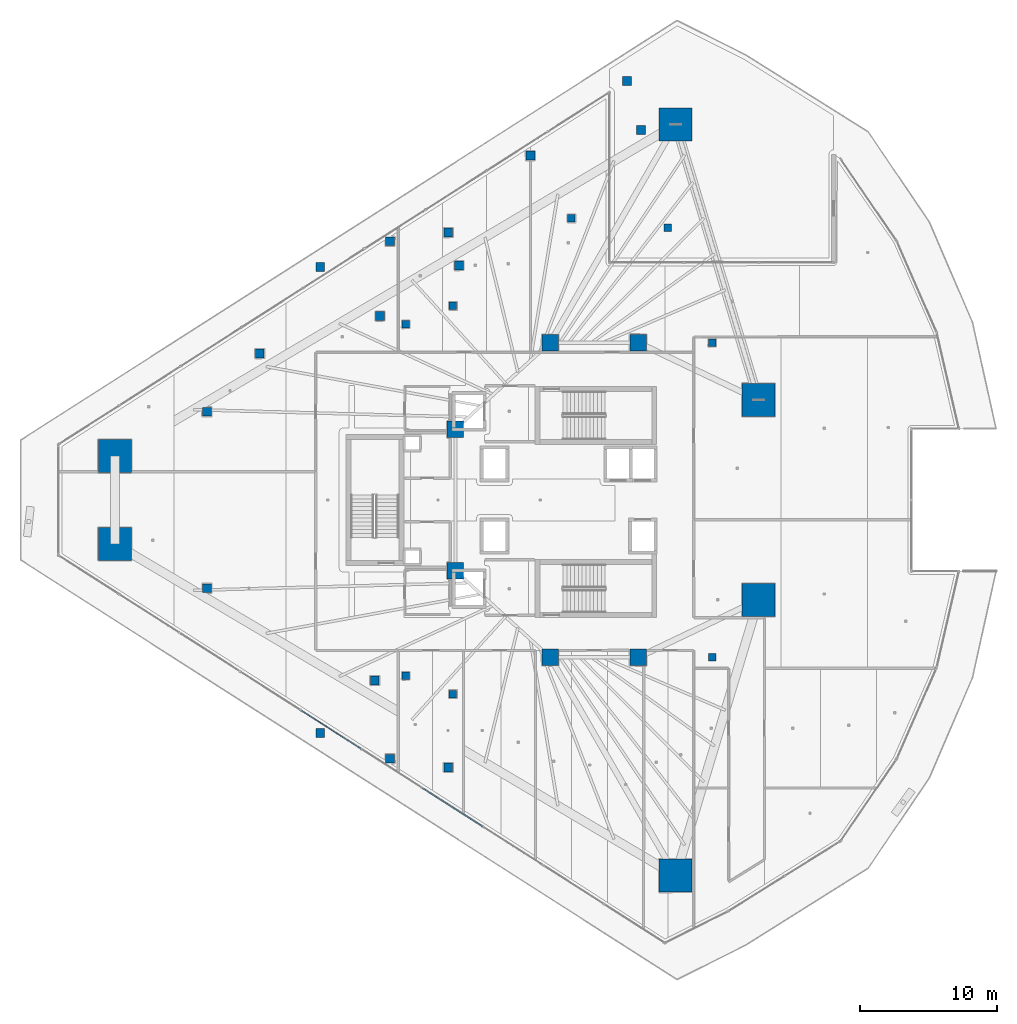
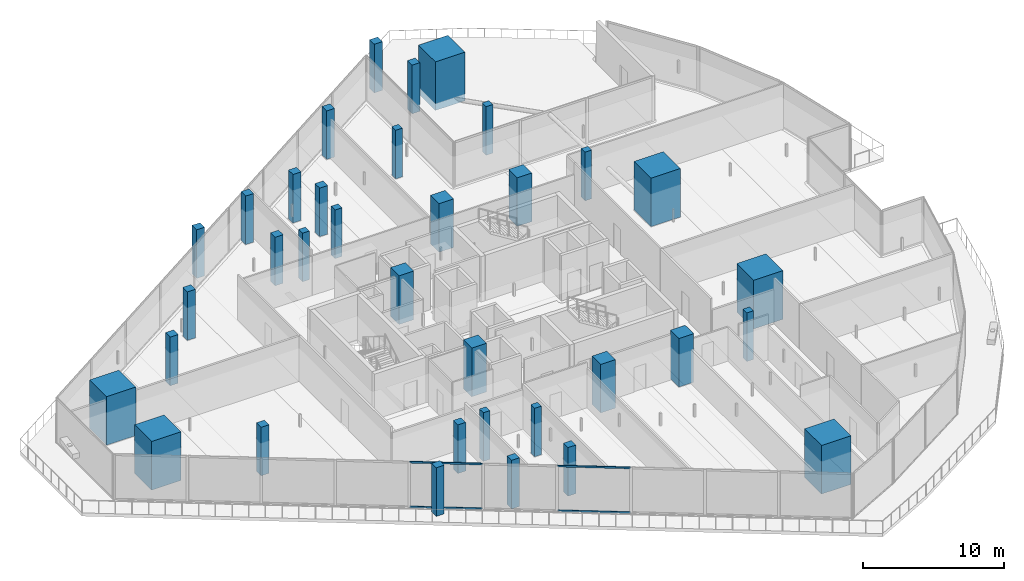
# One storey, part 1 of 44: 35 columns, 4 members, 1 element without a shape of its own.
"""IFC4 building model written with IfcOpenShell, lengths in metres."""

import ifcopenshell
import ifcopenshell.guid

model = None  # the IFC model being written
_history = None  # IfcOwnerHistory: only IFC2X3 demands one
_inside = {}  # id of a spatial element -> (the spatial element, [elements in it])
_under = {}  # id of a project, library or spatial element -> (it, [spatial elements below it])
_declared = {}  # id of a project -> (the project, [libraries it declares])
_typed = {}  # id of a type object -> (the type object, [elements of that type])
_made_of = {}  # id of a material, layer set ... -> (it, [elements and type objects made of it])


def new_model(schema):
    """Start an empty IFC model of exactly this schema.

    Asked for "IFC4X3", IfcOpenShell would pick the latest addendum, in which some entities
    have other attributes; the version numbers below select the first issue.
    IFC2X3 requires an IfcOwnerHistory on every rooted entity: one is made here for all.
    """
    global model, _history
    if schema == "IFC4X3":
        model = ifcopenshell.file(schema_version=(4, 3, 0, 0))
    else:
        model = ifcopenshell.file(schema=schema)
    _inside.clear()
    _under.clear()
    _declared.clear()
    _typed.clear()
    _made_of.clear()
    _history = None
    if model.schema == "IFC2X3":
        org = make("IfcOrganization", Name="unknown")
        user = make(
            "IfcPersonAndOrganization",
            ThePerson=make("IfcPerson", FamilyName="unknown"),
            TheOrganization=org,
        )
        app = make(
            "IfcApplication",
            ApplicationDeveloper=org,
            Version="unknown",
            ApplicationFullName="unknown",
            ApplicationIdentifier="unknown",
        )
        _history = make(
            "IfcOwnerHistory",
            OwningUser=user,
            OwningApplication=app,
            ChangeAction="ADDED",
            CreationDate=0,
        )
    return model


def make(cls, **values):
    """One entity of the class cls with the attributes given. An attribute that is None is left unset."""
    return model.create_entity(
        cls, **{name: value for name, value in values.items() if value is not None}
    )


def rooted(cls, **values):
    """An entity with a GlobalId (a new one), such as an element, a storey or a relation."""
    return make(cls, GlobalId=ifcopenshell.guid.new(), OwnerHistory=_history, **values)


def si_unit(unit_type, name, prefix=None):
    """IfcSIUnit, for example si_unit("LENGTHUNIT", "METRE", prefix="MILLI")."""
    return make("IfcSIUnit", UnitType=unit_type, Prefix=prefix, Name=name)


def assignment(units):
    """IfcUnitAssignment: the units of a project."""
    return None if units is None else make("IfcUnitAssignment", Units=units)


def point(xyz):
    """IfcCartesianPoint."""
    return None if xyz is None else make("IfcCartesianPoint", Coordinates=xyz)


def direction(xyz):
    """IfcDirection."""
    return None if xyz is None else make("IfcDirection", DirectionRatios=xyz)


def frame(location, z_axis=None, x_axis=None):
    """IfcAxis2Placement3D, a coordinate frame: its origin and axes. An axis left out is left unset."""
    return make(
        "IfcAxis2Placement3D",
        Location=point(location),
        Axis=direction(z_axis),
        RefDirection=direction(x_axis),
    )


def frame_2d(location, x_axis=None):
    """IfcAxis2Placement2D, a coordinate frame in the plane: its origin and x axis."""
    return make(
        "IfcAxis2Placement2D", Location=point(location), RefDirection=direction(x_axis)
    )


def origin():
    """The frame at (0, 0, 0) with its axes left unset."""
    return frame((0.0, 0.0, 0.0))


def origin_2d():
    """The frame at (0, 0) in the plane with its x axis left unset."""
    return frame_2d((0.0, 0.0))


def place(relative_to, where):
    """IfcLocalPlacement: puts the frame where relative to a parent placement (None: the world)."""
    return make(
        "IfcLocalPlacement", PlacementRelTo=relative_to, RelativePlacement=where
    )


def context(
    kind, dimensions, precision=None, world=None, true_north=None, identifier=None
):
    """IfcGeometricRepresentationContext, for example the 3D "Model" context."""
    return make(
        "IfcGeometricRepresentationContext",
        ContextIdentifier=identifier,
        ContextType=kind,
        CoordinateSpaceDimension=dimensions,
        Precision=precision,
        WorldCoordinateSystem=world,
        TrueNorth=true_north,
    )


def subcontext(parent, identifier, kind, view, scale=None):
    """IfcGeometricRepresentationSubContext, for example "Body" below "Model"."""
    return make(
        "IfcGeometricRepresentationSubContext",
        ContextIdentifier=identifier,
        ContextType=kind,
        ParentContext=parent,
        TargetScale=scale,
        TargetView=view,
    )


def project(units=None, contexts=None):
    """IfcProject with its units and contexts."""
    return rooted(
        "IfcProject",
        Name="project",
        RepresentationContexts=contexts,
        UnitsInContext=assignment(units),
    )


def spatial(cls, under=None, at=None, **own):
    """A site, building, storey or space (cls), placed at a placement, below another one or the project."""
    s = rooted(cls, ObjectPlacement=at, **own)
    if under is not None:
        _under.setdefault(under.id(), (under, []))[1].append(s)
    return s


def profile(cls, at=None, kind="AREA", **sizes):
    """A parametric profile (cls). Its sizes go by their IFC names, for example OverallWidth=200.0."""
    return make(cls, ProfileType=kind, Position=at, **sizes)


def rectangle(**sizes):
    """IfcRectangleProfileDef."""
    return profile("IfcRectangleProfileDef", **sizes)


def hollow_rectangle(**sizes):
    """IfcRectangleHollowProfileDef."""
    return profile("IfcRectangleHollowProfileDef", **sizes)


def extrude(swept, where, along, depth):
    """IfcExtrudedAreaSolid: the profile swept, set in the frame where, extruded along a direction by depth."""
    return make(
        "IfcExtrudedAreaSolid",
        SweptArea=swept,
        Position=where,
        ExtrudedDirection=direction(along),
        Depth=depth,
    )


def shape(context_of_items, identifier, shape_type, items):
    """IfcShapeRepresentation: the items that make up one representation, for example the "Body"."""
    return make(
        "IfcShapeRepresentation",
        ContextOfItems=context_of_items,
        RepresentationIdentifier=identifier,
        RepresentationType=shape_type,
        Items=items,
    )


def material(Name=None, Category=None):
    """IfcMaterial."""
    return make("IfcMaterial", Name=Name, Category=Category)


def layer(
    of_material, thickness, ventilated=None, Name=None, Category=None, Priority=None
):
    """IfcMaterialLayer: one layer of a wall or slab, of a material (None: an air gap)."""
    return make(
        "IfcMaterialLayer",
        Material=of_material,
        LayerThickness=thickness,
        IsVentilated=ventilated,
        Name=Name,
        Category=Category,
        Priority=Priority,
    )


def layer_set(layers, Name=None):
    """IfcMaterialLayerSet."""
    return make("IfcMaterialLayerSet", MaterialLayers=layers, LayerSetName=Name)


def material_profile(
    of_material, cross_section, Name=None, Category=None, Priority=None
):
    """IfcMaterialProfile: a cross section and its material."""
    return make(
        "IfcMaterialProfile",
        Name=Name,
        Material=of_material,
        Profile=cross_section,
        Priority=Priority,
        Category=Category,
    )


def profile_set(profiles, Name=None, composite=None):
    """IfcMaterialProfileSet."""
    return make(
        "IfcMaterialProfileSet",
        Name=Name,
        MaterialProfiles=profiles,
        CompositeProfile=composite,
    )


def made_of(thing, what):
    """Note that an element or type object is made of a material, layer set ...; save() writes the relation."""
    if what is not None:
        _made_of.setdefault(what.id(), (what, []))[1].append(thing)
    return thing


def type_object(cls, material=None, **own):
    """A type object (cls), such as IfcWallType, which elements share."""
    return made_of(rooted(cls, **own), material)


def element(
    cls,
    number,
    at=None,
    inside=None,
    cuts=None,
    type_object=None,
    material=None,
    context=None,
    identifier="Body",
    shape_type=None,
    held_by="IfcProductDefinitionShape",
    body=None,
    shapes=None,
    **own,
):
    """One element of the class cls, such as IfcWall. Its Tag is "e" and its number.

    at: its placement. inside: the storey or other place that contains it. cuts: it is an
    opening in that element (IfcRelVoidsElement). A single representation is given by context,
    identifier, shape_type and body (its items); several are given by shapes. held_by: the class
    of the entity that holds the representations. save() writes the other relations.
    """
    e = rooted(cls, Tag="e%d" % number, ObjectPlacement=at, **own)
    if body is not None:
        shapes = [shape(context, identifier, shape_type, body)]
    if shapes is not None:
        e.Representation = make(held_by, Representations=shapes)
    if inside is not None:
        _inside.setdefault(inside.id(), (inside, []))[1].append(e)
    if cuts is not None:
        rooted(
            "IfcRelVoidsElement", RelatingBuildingElement=cuts, RelatedOpeningElement=e
        )
    if type_object is not None:
        _typed.setdefault(type_object.id(), (type_object, []))[1].append(e)
    return made_of(e, material)


def aggregate(whole, parts):
    """IfcRelAggregates: a whole, such as a stair, and the parts it consists of."""
    return rooted("IfcRelAggregates", RelatingObject=whole, RelatedObjects=parts)


def save(model, path):
    """Write the relations noted so far, then the file.

    IfcRelAggregates (storeys below a building ...), IfcRelContainedInSpatialStructure (elements
    in a storey), IfcRelDefinesByType, IfcRelAssociatesMaterial and IfcRelDeclares: one each for
    every whole, place, type object, material and project.
    """
    for whole, parts in _under.values():
        aggregate(whole, parts)
    for where, things in _inside.values():
        rooted(
            "IfcRelContainedInSpatialStructure",
            RelatedElements=things,
            RelatingStructure=where,
        )
    for kind, things in _typed.values():
        rooted("IfcRelDefinesByType", RelatedObjects=things, RelatingType=kind)
    for what, things in _made_of.values():
        rooted("IfcRelAssociatesMaterial", RelatedObjects=things, RelatingMaterial=what)
    for by, libraries in _declared.values():
        rooted("IfcRelDeclares", RelatingContext=by, RelatedDefinitions=libraries)
    model.write(path)


model = new_model("IFC4")

# Units and contexts
model_context = context("Model", 3, precision=1e-05, world=origin(), true_north=direction((0.0, 1.0)))
body_context = subcontext(model_context, "Body", "Model", "MODEL_VIEW")
ifc_project = project(units=[si_unit("LENGTHUNIT", "METRE"), si_unit("AREAUNIT", "SQUARE_METRE"), si_unit("VOLUMEUNIT", "CUBIC_METRE"), si_unit("PLANEANGLEUNIT", "RADIAN"), si_unit("MASSUNIT", "GRAM", prefix="KILO")], contexts=[model_context])

# Site, building, storey
site_placement = place(None, origin())
site = spatial("IfcSite", under=ifc_project, at=site_placement, CompositionType="ELEMENT")
building_placement = place(site_placement, origin())
building = spatial("IfcBuilding", under=site, at=building_placement, Name="Qorvath Tower", CompositionType="ELEMENT")
storey_placement = place(building_placement, frame((0.0, 0.0, 78.60009765625)))
storey = spatial("IfcBuildingStorey", under=building, at=storey_placement, Name="L17", CompositionType="ELEMENT", Elevation=78.60009765625)

# Columns
ifc_material_1 = material(Name="Concrete C70/85", Category="concrete")
ifc_material_profile_1 = material_profile(ifc_material_1, rectangle(XDim=2.39990234375, YDim=2.39990234375, at=origin_2d()), Name="MC 2400x2400")
ifc_profile_set_1 = profile_set([ifc_material_profile_1], Name="Concrete C70/85")
column_type_1 = type_object("IfcColumnType", Name="COL-MC1", PredefinedType="COLUMN", material=ifc_profile_set_1)
for number, where, z_axis, x_axis, name in (
    (1, (-55.282958984375, 3.194580078125, 0.0), (0.0, 0.0, 1.0), (1.0, 0.0, 0.0), "Composite Mega-Column MC1 L17"),
    (2, (-55.282958984375, -3.194580078125, 0.0), (0.0, 0.0, 1.0), (1.0, 0.0, 0.0), "Composite Mega-Column MC2 L17"),
    (3, (-14.46435546875, -27.330810546875, 0.0), (0.0, 0.0, 1.0), (1.0, 0.0, 0.0), "Composite Mega-Column MC3 L17"),
    (4, (-8.430419921875, -7.2763671875, 0.0), (0.0, 0.0, 1.0), (1.0, 0.0, 0.0), "Composite Mega-Column MC4 L17"),
    (5, (-8.430419921875, 7.2763671875, 0.0), (0.0, 0.0, 1.0), (1.0, 0.0, 0.0), "Composite Mega-Column MC5 L17"),
    (6, (-14.46435546875, 27.330810546875, 0.0), (0.0, 0.0, 1.0), (1.0, 0.0, 0.0), "Composite Mega-Column MC6 L17"),
):
    element("IfcColumn", number, at=place(storey_placement, frame(where, z_axis=z_axis, x_axis=x_axis)), inside=storey, type_object=column_type_1, Name=name, PredefinedType="COLUMN", context=body_context, shape_type="SweptSolid", body=[
        extrude(rectangle(XDim=2.39990234375, YDim=2.39990234375, at=origin_2d()), origin(), (0.0, 0.0, 1.0), 4.199951171875),
    ])
ifc_material_2 = material(Name="Concrete C60/75", Category="concrete")
ifc_material_profile_2 = material_profile(ifc_material_2, rectangle(XDim=1.199951171875, YDim=1.199951171875, at=origin_2d()), Name="RC 1200x1200")
ifc_profile_set_2 = profile_set([ifc_material_profile_2], Name="Concrete C60/75")
column_type_2 = type_object("IfcColumnType", Name="COL-RC1", PredefinedType="COLUMN", material=ifc_profile_set_2)
for number, where, z_axis, x_axis, name in (
    (7, (-23.60009765625, 11.449951171875, 0.0), (0.0, 0.0, 1.0), (1.0, 0.0, 0.0), "Core Spine Column CC1 L17"),
    (8, (-17.199951171875, 11.449951171875, 0.0), (0.0, 0.0, 1.0), (1.0, 0.0, 0.0), "Core Spine Column CC2 L17"),
    (9, (-17.199951171875, -11.449951171875, 0.0), (0.0, 0.0, 1.0), (1.0, 0.0, 0.0), "Core Spine Column CC3 L17"),
    (10, (-23.60009765625, -11.449951171875, 0.0), (0.0, 0.0, 1.0), (1.0, 0.0, 0.0), "Core Spine Column CC4 L17"),
    (11, (-30.5, 5.14990234375, 0.0), (0.0, 0.0, 1.0), (1.0, 0.0, 0.0), "Core Spine Column CC5 L17"),
    (12, (-30.5, -5.14990234375, 0.0), (0.0, 0.0, 1.0), (1.0, 0.0, 0.0), "Core Spine Column CC6 L17"),
):
    element("IfcColumn", number, at=place(storey_placement, frame(where, z_axis=z_axis, x_axis=x_axis)), inside=storey, type_object=column_type_2, Name=name, PredefinedType="COLUMN", context=body_context, shape_type="SweptSolid", body=[
        extrude(rectangle(XDim=1.199951171875, YDim=1.199951171875, at=origin_2d()), origin(), (0.0, 0.0, 1.0), 4.199951171875),
    ])
ifc_material_3 = material(Name="Concrete C45/55", Category="concrete")
ifc_material_profile_3 = material_profile(ifc_material_3, rectangle(XDim=0.64990234375, YDim=0.64990234375, at=origin_2d()), Name="RC 650x650")
ifc_profile_set_3 = profile_set([ifc_material_profile_3], Name="Concrete C45/55")
column_type_3 = type_object("IfcColumnType", Name="COL-RC6", PredefinedType="COLUMN", material=ifc_profile_set_3)
for number, where, z_axis, x_axis, name in (
    (13, (-40.33251953125, 16.955810546875, 0.0), (0.0, 0.0, 1.0), (1.0, 0.0, 0.0), "Loggia Frame Pier Column LGB1 L17"),
    (14, (-40.33251953125, -16.955810546875, 0.0), (0.0, 0.0, 1.0), (1.0, 0.0, 0.0), "Loggia Frame Pier Column LGB2 L17"),
    (15, (-18.0, 30.5, 0.0), (0.0, 0.0, 1.0), (1.0, 0.0, 0.0), "Loggia Frame Pier Column LGB3 L17"),
    (16, (-35.251708984375, 18.829345703125, 0.0), (0.0, 0.0, 1.0), (1.0, 0.0, 0.0), "Loggia Frame Pier Column LGC1 L17"),
    (17, (-35.251708984375, -18.829345703125, 0.0), (0.0, 0.0, 1.0), (1.0, 0.0, 0.0), "Loggia Frame Pier Column LGC2 L17"),
    (18, (-25.03759765625, 25.058837890625, 0.0), (0.0, 0.0, 1.0), (1.0, 0.0, 0.0), "Loggia Frame Pier Column LGC3 L17"),
    (19, (-31.01611328125, 19.46044921875, 0.0), (0.0, 0.0, 1.0), (1.0, 0.0, 0.0), "Loggia Frame Pier Column LGD1 L17"),
    (20, (-31.01611328125, -19.46044921875, 0.0), (0.0, 0.0, 1.0), (1.0, 0.0, 0.0), "Loggia Frame Pier Column LGD2 L17"),
    (21, (-44.736328125, 10.65234375, 0.0), (0.0, 0.0, 1.0), (1.0, 0.0, 0.0), "Loggia Frame Pier Column LGD3 L17"),
    (22, (-48.578369140625, 6.424560546875, 0.0), (0.0, 0.0, 1.0), (1.0, 0.0, 0.0), "Loggia Frame Pier Column LGE1 L17"),
    (23, (-48.578369140625, -6.424560546875, 0.0), (0.0, 0.0, 1.0), (1.0, 0.0, 0.0), "Loggia Frame Pier Column LGE2 L17"),
    (24, (-16.981201171875, 26.92919921875, 0.0), (0.0, 0.0, 1.0), (1.0, 0.0, 0.0), "Loggia Frame Pier Column LGE3 L17"),
    (25, (-35.980712890625, 13.380859375, 0.0), (0.0, 0.0, 1.0), (1.0, 0.0, 0.0), "Loggia Frame Pier Column LGF1 L17"),
    (26, (-36.36474609375, -13.135498046875, 0.0), (0.0, 0.0, 1.0), (1.0, 0.0, 0.0), "Loggia Frame Pier Column LGF2 L17"),
    (27, (-30.224853515625, 17.0595703125, 0.0), (0.0, 0.0, 1.0), (1.0, 0.0, 0.0), "Loggia Frame Pier Column LGF3 L17"),
):
    element("IfcColumn", number, at=place(storey_placement, frame(where, z_axis=z_axis, x_axis=x_axis)), inside=storey, type_object=column_type_3, Name=name, PredefinedType="COLUMN", context=body_context, shape_type="SweptSolid", body=[
        extrude(rectangle(XDim=0.64990234375, YDim=0.64990234375, at=origin_2d()), origin(), (0.0, 0.0, 1.0), 4.199951171875),
    ])
ifc_material_4 = material(Name="Concrete C45/55", Category="concrete")
ifc_material_profile_4 = material_profile(ifc_material_4, rectangle(XDim=0.550048828125, YDim=0.550048828125, at=origin_2d()), Name="RC 550x550")
ifc_profile_set_4 = profile_set([ifc_material_profile_4], Name="Concrete C45/55")
column_type_4 = type_object("IfcColumnType", Name="COL-RC7", PredefinedType="COLUMN", material=ifc_profile_set_4)
for number, where, z_axis, x_axis, name in (
    (28, (-34.104248046875, 12.79248046875, 0.0), (0.0, 0.0, 1.0), (1.0, 0.0, 0.0), "Loggia Frame Pier Column LGG1 L17"),
    (29, (-34.104248046875, -12.79248046875, 0.0), (0.0, 0.0, 1.0), (1.0, 0.0, 0.0), "Loggia Frame Pier Column LGG2 L17"),
    (30, (-22.05322265625, 20.494873046875, 0.0), (0.0, 0.0, 1.0), (1.0, 0.0, 0.0), "Loggia Frame Pier Column LGG3 L17"),
    (31, (-30.67724609375, 14.124267578125, 0.0), (0.0, 0.0, 1.0), (1.0, 0.0, 0.0), "Loggia Frame Pier Column LGH1 L17"),
    (32, (-30.67724609375, -14.124267578125, 0.0), (0.0, 0.0, 1.0), (1.0, 0.0, 0.0), "Loggia Frame Pier Column LGH2 L17"),
    (33, (-15.046142578125, 19.818115234375, 0.0), (0.0, 0.0, 1.0), (1.0, 0.0, 0.0), "Loggia Frame Pier Column LGH3 L17"),
    (34, (-11.800048828125, -11.449951171875, 0.0), (0.0, 0.0, 1.0), (1.0, 0.0, 0.0), "Central Slot Jamb Column SC1 L17"),
    (35, (-11.800048828125, 11.449951171875, 0.0), (0.0, 0.0, 1.0), (1.0, 0.0, 0.0), "Central Slot Jamb Column SC2 L17"),
):
    element("IfcColumn", number, at=place(storey_placement, frame(where, z_axis=z_axis, x_axis=x_axis)), inside=storey, type_object=column_type_4, Name=name, PredefinedType="COLUMN", context=body_context, shape_type="SweptSolid", body=[
        extrude(rectangle(XDim=0.550048828125, YDim=0.550048828125, at=origin_2d()), origin(), (0.0, 0.0, 1.0), 4.199951171875),
    ])

# Curtain wall, members
ifc_material_5 = material(Name="Anodised aluminium and triple low-E glass", Category="aluminium")
ifc_layer = layer(ifc_material_5, 0.179931640625)
ifc_layer_set = layer_set([ifc_layer], Name="CW-SYS-5")
curtain_wall_type = type_object("IfcCurtainWallType", Name="CW-SYS-5", PredefinedType="NOTDEFINED", material=ifc_layer_set)
curtain_wall_placement = place(storey_placement, origin())
curtain_wall = element("IfcCurtainWall", 36, at=curtain_wall_placement, inside=storey, type_object=curtain_wall_type, Name="Curtain Wall CW-5 CW-T-L17-6.1", PredefinedType="NOTDEFINED")
ifc_material_6 = material(Name="Anodised aluminium 6063-T6", Category="aluminium")
ifc_material_profile_5 = material_profile(ifc_material_6, hollow_rectangle(XDim=0.06494140625, YDim=0.159912109375, WallThickness=0.00341796875, InnerFilletRadius=0.00341796875, OuterFilletRadius=0.007080078125, at=origin_2d()), Name="CWT 160x65")
ifc_profile_set_5 = profile_set([ifc_material_profile_5], Name="Anodised aluminium 6063-T6")
member_type = type_object("IfcMemberType", Name="CWT-160", PredefinedType="USERDEFINED", material=ifc_profile_set_5)
member_1_placement = place(storey_placement, frame((-41.706787109375, -15.336181640625, 0.032470703125), z_axis=(0.842608664129, -0.538526358811, 0.0), x_axis=(0.538526358811, 0.842608664129, 0.0)))
member_1 = element("IfcMember", 37, at=member_1_placement, type_object=member_type, Name="CW-5 transom 5.1", ObjectType="TRANSOM", PredefinedType="USERDEFINED", context=body_context, shape_type="SweptSolid", body=[
    extrude(hollow_rectangle(XDim=0.06494140625, YDim=0.159912109375, WallThickness=0.00341796875, InnerFilletRadius=0.00341796875, OuterFilletRadius=0.007080078125, at=origin_2d()), origin(), (0.0, 0.0, 1.0), 5.1640625),
])
member_2_placement = place(storey_placement, frame((-41.706787109375, -15.336181640625, 3.887451171875), z_axis=(0.842608664129, -0.538526358811, 0.0), x_axis=(0.538526358811, 0.842608664129, 0.0)))
member_2 = element("IfcMember", 38, at=member_2_placement, type_object=member_type, Name="CW-5 transom 5.2", ObjectType="TRANSOM", PredefinedType="USERDEFINED", context=body_context, shape_type="SweptSolid", body=[
    extrude(hollow_rectangle(XDim=0.06494140625, YDim=0.159912109375, WallThickness=0.00341796875, InnerFilletRadius=0.00341796875, OuterFilletRadius=0.007080078125, at=origin_2d()), origin(), (0.0, 0.0, 1.0), 5.1640625),
])
member_3_placement = place(storey_placement, frame((-32.8779296875, -20.978759765625, 0.032470703125), z_axis=(0.842594952628, -0.538547811996, 0.0), x_axis=(0.538547811996, 0.842594952628, 0.0)))
member_3 = element("IfcMember", 39, at=member_3_placement, type_object=member_type, Name="CW-5 transom 7.1", ObjectType="TRANSOM", PredefinedType="USERDEFINED", context=body_context, shape_type="SweptSolid", body=[
    extrude(hollow_rectangle(XDim=0.06494140625, YDim=0.159912109375, WallThickness=0.00341796875, InnerFilletRadius=0.00341796875, OuterFilletRadius=0.007080078125, at=origin_2d()), origin(), (0.0, 0.0, 1.0), 5.163818359375),
])
member_4_placement = place(storey_placement, frame((-32.8779296875, -20.978759765625, 3.887451171875), z_axis=(0.842594952628, -0.538547811996, 0.0), x_axis=(0.538547811996, 0.842594952628, 0.0)))
member_4 = element("IfcMember", 40, at=member_4_placement, type_object=member_type, Name="CW-5 transom 7.2", ObjectType="TRANSOM", PredefinedType="USERDEFINED", context=body_context, shape_type="SweptSolid", body=[
    extrude(hollow_rectangle(XDim=0.06494140625, YDim=0.159912109375, WallThickness=0.00341796875, InnerFilletRadius=0.00341796875, OuterFilletRadius=0.007080078125, at=origin_2d()), origin(), (0.0, 0.0, 1.0), 5.163818359375),
])
aggregate(curtain_wall, [member_1, member_2, member_3, member_4])

save(model, "model.ifc")
